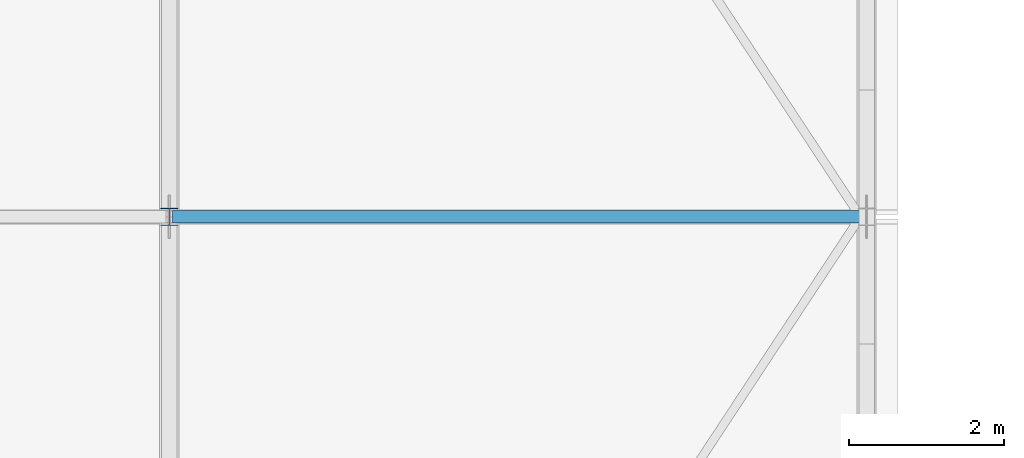
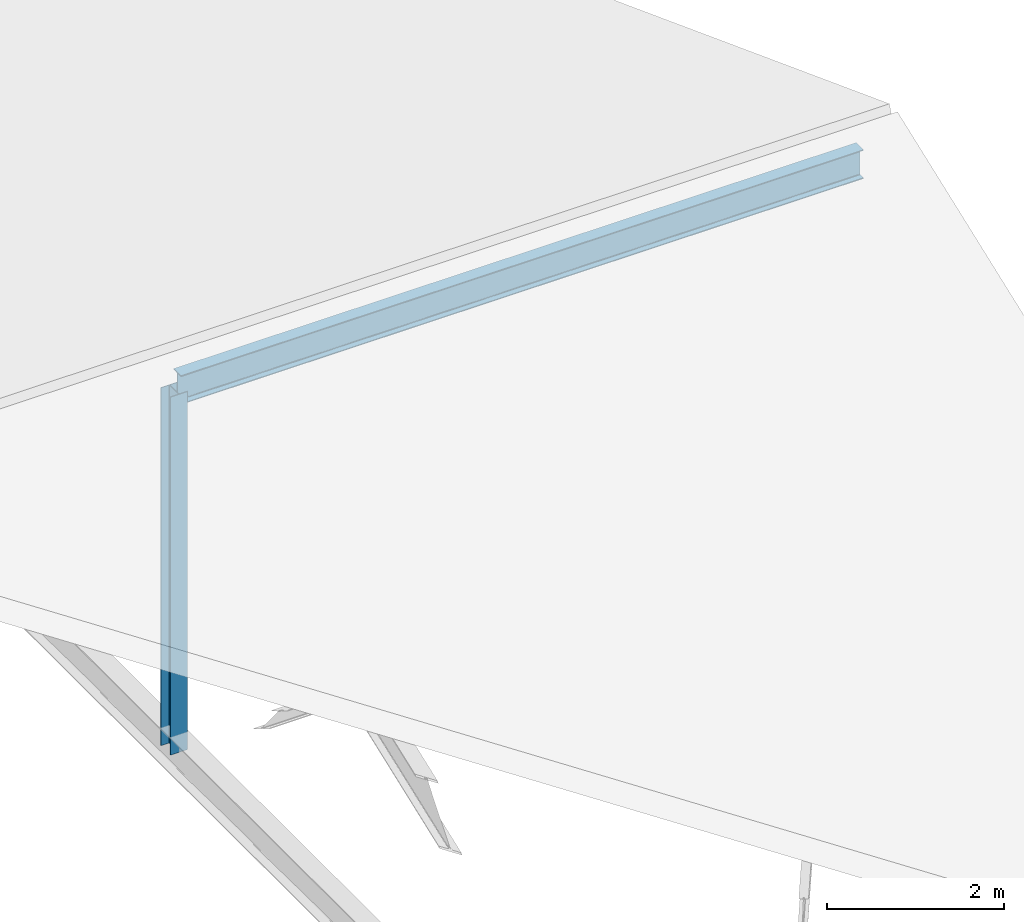
# One storey, part 57 of 163: 2 members.
"""IFC4 building model written with IfcOpenShell, lengths in metres."""

from ifc_helpers import new_model, si_unit, direction, frame, origin, origin_2d, place, context, subcontext, project, spatial, i_section, extrude, material, material_profile, profile_set, type_object, element, save


model = new_model("IFC4")

# Units and contexts
model_context = context("Model", 3, precision=1e-05, world=origin(), true_north=direction((0.0, 1.0)))
body_context = subcontext(model_context, "Body", "Model", "MODEL_VIEW")
ifc_project = project(units=[si_unit("LENGTHUNIT", "METRE"), si_unit("AREAUNIT", "SQUARE_METRE"), si_unit("VOLUMEUNIT", "CUBIC_METRE"), si_unit("PLANEANGLEUNIT", "RADIAN"), si_unit("MASSUNIT", "GRAM", prefix="KILO")], contexts=[model_context])

# Site, building, storey
site_placement = place(None, origin())
site = spatial("IfcSite", under=ifc_project, at=site_placement, CompositionType="ELEMENT")
building_placement = place(site_placement, origin())
building = spatial("IfcBuilding", under=site, at=building_placement, Name="Tharagai Park Tramway Depot", CompositionType="ELEMENT")
storey_placement = place(building_placement, frame((0.0, 0.0, 8.39990234375)))
storey = spatial("IfcBuildingStorey", under=building, at=storey_placement, Name="L02", CompositionType="ELEMENT", Elevation=8.39990234375)

# Members
ifc_material = material(Name="Steel E350", Category="steel")
ifc_material_profile_1 = material_profile(ifc_material, i_section(OverallWidth=0.22509765625, OverallDepth=0.22509765625, WebThickness=0.008544921875, FlangeThickness=0.009033203125, FilletRadius=0.010009765625, at=origin_2d()), Name="ISHB 225")
ifc_profile_set_1 = profile_set([ifc_material_profile_1], Name="Steel E350")
member_type_1 = type_object("IfcMemberType", Name="BR-02", PredefinedType="BRACE", material=ifc_profile_set_1)
member_1_placement = place(storey_placement, frame((81.0, 76.5, -0.5), z_axis=(0.0, 0.0, 1.0), x_axis=(1.0, 0.0, 0.0)))
element("IfcMember", 1, at=member_1_placement, inside=storey, type_object=member_type_1, Name="V2B Gable King Strut BR-02", PredefinedType="BRACE", context=body_context, shape_type="SweptSolid", body=[
    extrude(i_section(OverallWidth=0.22509765625, OverallDepth=0.22509765625, WebThickness=0.008544921875, FlangeThickness=0.009033203125, FilletRadius=0.010009765625, at=origin_2d()), origin(), (0.0, 0.0, 1.0), 4.946044921875),
])
ifc_material_profile_2 = material_profile(ifc_material, i_section(OverallWidth=0.1650390625, OverallDepth=0.39990234375, WebThickness=0.008056640625, FlangeThickness=0.012451171875, FilletRadius=0.013916015625, at=origin_2d()), Name="ISLB 400")
ifc_profile_set_2 = profile_set([ifc_material_profile_2], Name="Steel E350")
member_type_2 = type_object("IfcMemberType", Name="TC-04", PredefinedType="CHORD", material=ifc_profile_set_2)
member_2_placement = place(storey_placement, frame((81.0400390625, 76.5, 4.470947265625), z_axis=(1.0, 0.0, 0.0), x_axis=(0.0, 1.0, 0.0)))
element("IfcMember", 2, at=member_2_placement, inside=storey, type_object=member_type_2, Name="V2B Roof Ridge Chord TC-04", PredefinedType="CHORD", context=body_context, shape_type="SweptSolid", body=[
    extrude(i_section(OverallWidth=0.1650390625, OverallDepth=0.39990234375, WebThickness=0.008056640625, FlangeThickness=0.012451171875, FilletRadius=0.013916015625, at=origin_2d()), origin(), (0.0, 0.0, 1.0), 8.919921875),
])

save(model, "model.ifc")
